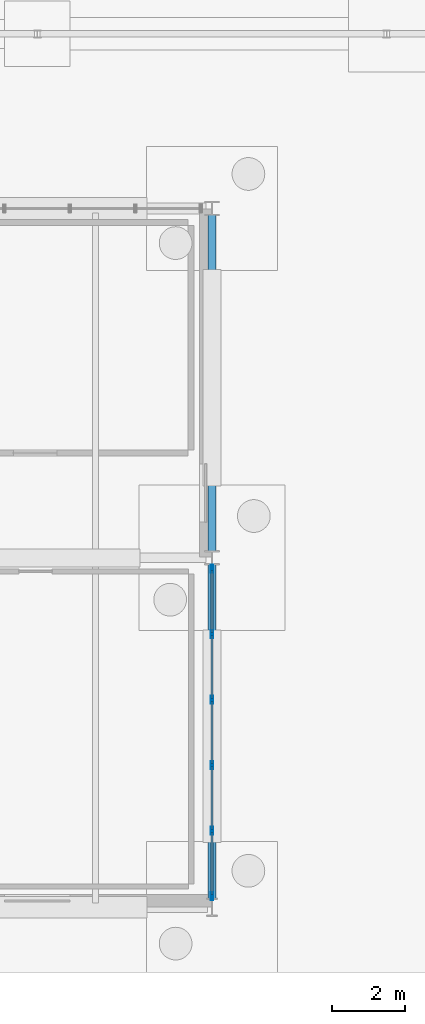
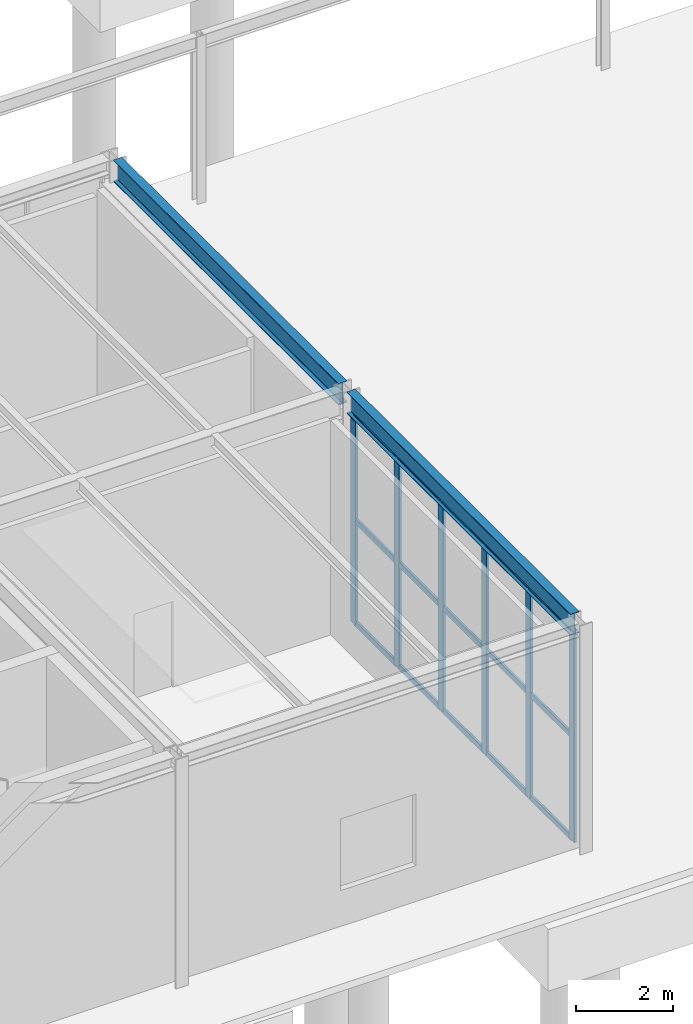
# One storey, part 63 of 142: 21 members, 2 beams, 1 element without a shape of its own.
"""IFC4 building model written with IfcOpenShell, lengths in metres."""

from ifc_helpers import new_model, si_unit, direction, frame, origin, origin_2d, place, context, subcontext, project, spatial, hollow_rectangle, i_section, extrude, material, material_profile, profile_set, type_object, element, aggregate, save


model = new_model("IFC4")

# Units and contexts
model_context = context("Model", 3, precision=1e-05, world=origin(), true_north=direction((0.0, 1.0)))
body_context = subcontext(model_context, "Body", "Model", "MODEL_VIEW")
ifc_project = project(units=[si_unit("LENGTHUNIT", "METRE"), si_unit("AREAUNIT", "SQUARE_METRE"), si_unit("VOLUMEUNIT", "CUBIC_METRE"), si_unit("PLANEANGLEUNIT", "RADIAN"), si_unit("MASSUNIT", "GRAM", prefix="KILO")], contexts=[model_context])

# Site, building, storey
site_placement = place(None, origin())
site = spatial("IfcSite", under=ifc_project, at=site_placement, CompositionType="ELEMENT")
building_placement = place(site_placement, origin())
building = spatial("IfcBuilding", under=site, at=building_placement, Name="Coralgate Yard Interchange", CompositionType="ELEMENT")
storey_placement = place(building_placement, origin())
storey = spatial("IfcBuildingStorey", under=building, at=storey_placement, Name="L00", CompositionType="ELEMENT", Elevation=0.0)

# Beams
ifc_material_1 = material(Name="Structural steel S355J2", Category="steel")
ifc_material_profile_1 = material_profile(ifc_material_1, i_section(OverallWidth=0.209228515625, OverallDepth=0.533203125, WebThickness=0.010009765625, FlangeThickness=0.015625, FilletRadius=0.0126953125, at=origin_2d()), Name="UB 533x210x92")
ifc_profile_set_1 = profile_set([ifc_material_profile_1], Name="Structural steel S355J2")
beam_type = type_object("IfcBeamType", Name="BM-SB-1", PredefinedType="BEAM", material=ifc_profile_set_1)
beam_1_placement = place(storey_placement, frame((96.0, 0.219970703125, 5.4833984375), z_axis=(0.0, 1.0, 0.0), x_axis=(-1.0, 0.0, 0.0)))
element("IfcBeam", 1, at=beam_1_placement, inside=storey, type_object=beam_type, Name="L00 primary grid girder X10 Y0-1", PredefinedType="BEAM", context=body_context, shape_type="SweptSolid", body=[
    extrude(i_section(OverallWidth=0.209228515625, OverallDepth=0.533203125, WebThickness=0.010009765625, FlangeThickness=0.015625, FilletRadius=0.0126953125, at=origin_2d()), origin(), (0.0, 0.0, 1.0), 9.213134765625),
])
beam_2_placement = place(storey_placement, frame((96.0, 9.766845703125, 5.4833984375), z_axis=(0.0, 1.0, 0.0), x_axis=(-1.0, 0.0, 0.0)))
element("IfcBeam", 2, at=beam_2_placement, inside=storey, type_object=beam_type, Name="L00 primary grid girder X10 Y1-2", PredefinedType="BEAM", context=body_context, shape_type="SweptSolid", body=[
    extrude(i_section(OverallWidth=0.209228515625, OverallDepth=0.533203125, WebThickness=0.010009765625, FlangeThickness=0.015625, FilletRadius=0.0126953125, at=origin_2d()), origin(), (0.0, 0.0, 1.0), 9.266357421875),
])

# Curtain wall, members
ifc_material_2 = material(Name="Anodised coastal aluminium and solar-control low-E glass", Category="aluminium")
curtain_wall_type = type_object("IfcCurtainWallType", Name="CW-CW-L00-B", PredefinedType="NOTDEFINED", material=ifc_material_2)
curtain_wall_placement = place(storey_placement, origin())
curtain_wall = element("IfcCurtainWall", 3, at=curtain_wall_placement, inside=storey, type_object=curtain_wall_type, Name="L00 unitised curtain wall CW-L00-E-09-00", PredefinedType="NOTDEFINED")
ifc_material_3 = material(Name="Anodised coastal aluminium 6063-T6", Category="aluminium")
ifc_material_profile_2 = material_profile(ifc_material_3, hollow_rectangle(XDim=0.06005859375, YDim=0.219970703125, WallThickness=0.00390625, InnerFilletRadius=0.00390625, OuterFilletRadius=0.008056640625, at=origin_2d()), Name="ALU 60x220x4")
ifc_profile_set_2 = profile_set([ifc_material_profile_2], Name="Anodised coastal aluminium 6063-T6")
member_type_1 = type_object("IfcMemberType", Name="MB-MUL-220", PredefinedType="MULLION", material=ifc_profile_set_2)
member_1_placement = place(storey_placement, frame((96.0, 9.300048828125, 0.0), z_axis=(0.0, 0.0, 1.0), x_axis=(1.0, 0.0, 0.0)))
member_1 = element("IfcMember", 4, at=member_1_placement, type_object=member_type_1, Name="CW-L00-E-09-00 vertical mullion 1", PredefinedType="MULLION", context=body_context, shape_type="SweptSolid", body=[
    extrude(hollow_rectangle(XDim=0.06005859375, YDim=0.219970703125, WallThickness=0.00390625, InnerFilletRadius=0.00390625, OuterFilletRadius=0.008056640625, at=origin_2d()), origin(), (0.0, 0.0, 1.0), 5.216796875),
])
member_2_placement = place(storey_placement, frame((96.0, 7.5, 0.0), z_axis=(0.0, 0.0, 1.0), x_axis=(1.0, 0.0, 0.0)))
member_2 = element("IfcMember", 5, at=member_2_placement, type_object=member_type_1, Name="CW-L00-E-09-00 vertical mullion 2", PredefinedType="MULLION", context=body_context, shape_type="SweptSolid", body=[
    extrude(hollow_rectangle(XDim=0.06005859375, YDim=0.219970703125, WallThickness=0.00390625, InnerFilletRadius=0.00390625, OuterFilletRadius=0.008056640625, at=origin_2d()), origin(), (0.0, 0.0, 1.0), 5.216796875),
])
member_3_placement = place(storey_placement, frame((96.0, 5.699951171875, 0.0), z_axis=(0.0, 0.0, 1.0), x_axis=(1.0, 0.0, 0.0)))
member_3 = element("IfcMember", 6, at=member_3_placement, type_object=member_type_1, Name="CW-L00-E-09-00 vertical mullion 3", PredefinedType="MULLION", context=body_context, shape_type="SweptSolid", body=[
    extrude(hollow_rectangle(XDim=0.06005859375, YDim=0.219970703125, WallThickness=0.00390625, InnerFilletRadius=0.00390625, OuterFilletRadius=0.008056640625, at=origin_2d()), origin(), (0.0, 0.0, 1.0), 5.216796875),
])
member_4_placement = place(storey_placement, frame((96.0, 3.89990234375, 0.0), z_axis=(0.0, 0.0, 1.0), x_axis=(1.0, 0.0, 0.0)))
member_4 = element("IfcMember", 7, at=member_4_placement, type_object=member_type_1, Name="CW-L00-E-09-00 vertical mullion 4", PredefinedType="MULLION", context=body_context, shape_type="SweptSolid", body=[
    extrude(hollow_rectangle(XDim=0.06005859375, YDim=0.219970703125, WallThickness=0.00390625, InnerFilletRadius=0.00390625, OuterFilletRadius=0.008056640625, at=origin_2d()), origin(), (0.0, 0.0, 1.0), 5.216796875),
])
member_5_placement = place(storey_placement, frame((96.0, 2.10009765625, 0.0), z_axis=(0.0, 0.0, 1.0), x_axis=(1.0, 0.0, 0.0)))
member_5 = element("IfcMember", 8, at=member_5_placement, type_object=member_type_1, Name="CW-L00-E-09-00 vertical mullion 5", PredefinedType="MULLION", context=body_context, shape_type="SweptSolid", body=[
    extrude(hollow_rectangle(XDim=0.06005859375, YDim=0.219970703125, WallThickness=0.00390625, InnerFilletRadius=0.00390625, OuterFilletRadius=0.008056640625, at=origin_2d()), origin(), (0.0, 0.0, 1.0), 5.216796875),
])
member_6_placement = place(storey_placement, frame((96.0, 0.300048828125, 0.0), z_axis=(0.0, 0.0, 1.0), x_axis=(1.0, 0.0, 0.0)))
member_6 = element("IfcMember", 9, at=member_6_placement, type_object=member_type_1, Name="CW-L00-E-09-00 vertical mullion 6", PredefinedType="MULLION", context=body_context, shape_type="SweptSolid", body=[
    extrude(hollow_rectangle(XDim=0.06005859375, YDim=0.219970703125, WallThickness=0.00390625, InnerFilletRadius=0.00390625, OuterFilletRadius=0.008056640625, at=origin_2d()), origin(), (0.0, 0.0, 1.0), 5.216796875),
])
ifc_material_profile_3 = material_profile(ifc_material_3, hollow_rectangle(XDim=0.06005859375, YDim=0.139892578125, WallThickness=0.00341796875, InnerFilletRadius=0.00341796875, OuterFilletRadius=0.007080078125, at=origin_2d()), Name="ALU 60x140x3.5")
ifc_profile_set_3 = profile_set([ifc_material_profile_3], Name="Anodised coastal aluminium 6063-T6")
member_type_2 = type_object("IfcMemberType", Name="MB-TRN-140", PredefinedType="USERDEFINED", material=ifc_profile_set_3)
member_7_placement = place(storey_placement, frame((96.0, 9.27001953125, 0.034912109375), z_axis=(0.0, -1.0, 0.0), x_axis=(1.0, 0.0, 0.0)))
member_7 = element("IfcMember", 10, at=member_7_placement, type_object=member_type_2, Name="CW-L00-E-09-00 horizontal transom 1-1", ObjectType="TRANSOM", PredefinedType="USERDEFINED", context=body_context, shape_type="SweptSolid", body=[
    extrude(hollow_rectangle(XDim=0.06005859375, YDim=0.139892578125, WallThickness=0.00341796875, InnerFilletRadius=0.00341796875, OuterFilletRadius=0.007080078125, at=origin_2d()), origin(), (0.0, 0.0, 1.0), 1.739990234375),
])
member_8_placement = place(storey_placement, frame((96.0, 9.27001953125, 2.6083984375), z_axis=(0.0, -1.0, 0.0), x_axis=(1.0, 0.0, 0.0)))
member_8 = element("IfcMember", 11, at=member_8_placement, type_object=member_type_2, Name="CW-L00-E-09-00 horizontal transom 1-2", ObjectType="TRANSOM", PredefinedType="USERDEFINED", context=body_context, shape_type="SweptSolid", body=[
    extrude(hollow_rectangle(XDim=0.06005859375, YDim=0.139892578125, WallThickness=0.00341796875, InnerFilletRadius=0.00341796875, OuterFilletRadius=0.007080078125, at=origin_2d()), origin(), (0.0, 0.0, 1.0), 1.739990234375),
])
member_9_placement = place(storey_placement, frame((96.0, 9.27001953125, 5.181884765625), z_axis=(0.0, -1.0, 0.0), x_axis=(1.0, 0.0, 0.0)))
member_9 = element("IfcMember", 12, at=member_9_placement, type_object=member_type_2, Name="CW-L00-E-09-00 horizontal transom 1-3", ObjectType="TRANSOM", PredefinedType="USERDEFINED", context=body_context, shape_type="SweptSolid", body=[
    extrude(hollow_rectangle(XDim=0.06005859375, YDim=0.139892578125, WallThickness=0.00341796875, InnerFilletRadius=0.00341796875, OuterFilletRadius=0.007080078125, at=origin_2d()), origin(), (0.0, 0.0, 1.0), 1.739990234375),
])
member_10_placement = place(storey_placement, frame((96.0, 7.469970703125, 0.034912109375), z_axis=(0.0, -1.0, 0.0), x_axis=(1.0, 0.0, 0.0)))
member_10 = element("IfcMember", 13, at=member_10_placement, type_object=member_type_2, Name="CW-L00-E-09-00 horizontal transom 2-1", ObjectType="TRANSOM", PredefinedType="USERDEFINED", context=body_context, shape_type="SweptSolid", body=[
    extrude(hollow_rectangle(XDim=0.06005859375, YDim=0.139892578125, WallThickness=0.00341796875, InnerFilletRadius=0.00341796875, OuterFilletRadius=0.007080078125, at=origin_2d()), origin(), (0.0, 0.0, 1.0), 1.739990234375),
])
member_11_placement = place(storey_placement, frame((96.0, 7.469970703125, 2.6083984375), z_axis=(0.0, -1.0, 0.0), x_axis=(1.0, 0.0, 0.0)))
member_11 = element("IfcMember", 14, at=member_11_placement, type_object=member_type_2, Name="CW-L00-E-09-00 horizontal transom 2-2", ObjectType="TRANSOM", PredefinedType="USERDEFINED", context=body_context, shape_type="SweptSolid", body=[
    extrude(hollow_rectangle(XDim=0.06005859375, YDim=0.139892578125, WallThickness=0.00341796875, InnerFilletRadius=0.00341796875, OuterFilletRadius=0.007080078125, at=origin_2d()), origin(), (0.0, 0.0, 1.0), 1.739990234375),
])
member_12_placement = place(storey_placement, frame((96.0, 7.469970703125, 5.181884765625), z_axis=(0.0, -1.0, 0.0), x_axis=(1.0, 0.0, 0.0)))
member_12 = element("IfcMember", 15, at=member_12_placement, type_object=member_type_2, Name="CW-L00-E-09-00 horizontal transom 2-3", ObjectType="TRANSOM", PredefinedType="USERDEFINED", context=body_context, shape_type="SweptSolid", body=[
    extrude(hollow_rectangle(XDim=0.06005859375, YDim=0.139892578125, WallThickness=0.00341796875, InnerFilletRadius=0.00341796875, OuterFilletRadius=0.007080078125, at=origin_2d()), origin(), (0.0, 0.0, 1.0), 1.739990234375),
])
member_13_placement = place(storey_placement, frame((96.0, 5.669921875, 0.034912109375), z_axis=(0.0, -1.0, 0.0), x_axis=(1.0, 0.0, 0.0)))
member_13 = element("IfcMember", 16, at=member_13_placement, type_object=member_type_2, Name="CW-L00-E-09-00 horizontal transom 3-1", ObjectType="TRANSOM", PredefinedType="USERDEFINED", context=body_context, shape_type="SweptSolid", body=[
    extrude(hollow_rectangle(XDim=0.06005859375, YDim=0.139892578125, WallThickness=0.00341796875, InnerFilletRadius=0.00341796875, OuterFilletRadius=0.007080078125, at=origin_2d()), origin(), (0.0, 0.0, 1.0), 1.739990234375),
])
member_14_placement = place(storey_placement, frame((96.0, 5.669921875, 2.6083984375), z_axis=(0.0, -1.0, 0.0), x_axis=(1.0, 0.0, 0.0)))
member_14 = element("IfcMember", 17, at=member_14_placement, type_object=member_type_2, Name="CW-L00-E-09-00 horizontal transom 3-2", ObjectType="TRANSOM", PredefinedType="USERDEFINED", context=body_context, shape_type="SweptSolid", body=[
    extrude(hollow_rectangle(XDim=0.06005859375, YDim=0.139892578125, WallThickness=0.00341796875, InnerFilletRadius=0.00341796875, OuterFilletRadius=0.007080078125, at=origin_2d()), origin(), (0.0, 0.0, 1.0), 1.739990234375),
])
member_15_placement = place(storey_placement, frame((96.0, 5.669921875, 5.181884765625), z_axis=(0.0, -1.0, 0.0), x_axis=(1.0, 0.0, 0.0)))
member_15 = element("IfcMember", 18, at=member_15_placement, type_object=member_type_2, Name="CW-L00-E-09-00 horizontal transom 3-3", ObjectType="TRANSOM", PredefinedType="USERDEFINED", context=body_context, shape_type="SweptSolid", body=[
    extrude(hollow_rectangle(XDim=0.06005859375, YDim=0.139892578125, WallThickness=0.00341796875, InnerFilletRadius=0.00341796875, OuterFilletRadius=0.007080078125, at=origin_2d()), origin(), (0.0, 0.0, 1.0), 1.739990234375),
])
member_16_placement = place(storey_placement, frame((96.0, 3.8701171875, 0.034912109375), z_axis=(0.0, -1.0, 0.0), x_axis=(1.0, 0.0, 0.0)))
member_16 = element("IfcMember", 19, at=member_16_placement, type_object=member_type_2, Name="CW-L00-E-09-00 horizontal transom 4-1", ObjectType="TRANSOM", PredefinedType="USERDEFINED", context=body_context, shape_type="SweptSolid", body=[
    extrude(hollow_rectangle(XDim=0.06005859375, YDim=0.139892578125, WallThickness=0.00341796875, InnerFilletRadius=0.00341796875, OuterFilletRadius=0.007080078125, at=origin_2d()), origin(), (0.0, 0.0, 1.0), 1.740234375),
])
member_17_placement = place(storey_placement, frame((96.0, 3.8701171875, 2.6083984375), z_axis=(0.0, -1.0, 0.0), x_axis=(1.0, 0.0, 0.0)))
member_17 = element("IfcMember", 20, at=member_17_placement, type_object=member_type_2, Name="CW-L00-E-09-00 horizontal transom 4-2", ObjectType="TRANSOM", PredefinedType="USERDEFINED", context=body_context, shape_type="SweptSolid", body=[
    extrude(hollow_rectangle(XDim=0.06005859375, YDim=0.139892578125, WallThickness=0.00341796875, InnerFilletRadius=0.00341796875, OuterFilletRadius=0.007080078125, at=origin_2d()), origin(), (0.0, 0.0, 1.0), 1.740234375),
])
member_18_placement = place(storey_placement, frame((96.0, 3.8701171875, 5.181884765625), z_axis=(0.0, -1.0, 0.0), x_axis=(1.0, 0.0, 0.0)))
member_18 = element("IfcMember", 21, at=member_18_placement, type_object=member_type_2, Name="CW-L00-E-09-00 horizontal transom 4-3", ObjectType="TRANSOM", PredefinedType="USERDEFINED", context=body_context, shape_type="SweptSolid", body=[
    extrude(hollow_rectangle(XDim=0.06005859375, YDim=0.139892578125, WallThickness=0.00341796875, InnerFilletRadius=0.00341796875, OuterFilletRadius=0.007080078125, at=origin_2d()), origin(), (0.0, 0.0, 1.0), 1.740234375),
])
member_19_placement = place(storey_placement, frame((96.0, 2.070068359375, 0.034912109375), z_axis=(0.0, -1.0, 0.0), x_axis=(1.0, 0.0, 0.0)))
member_19 = element("IfcMember", 22, at=member_19_placement, type_object=member_type_2, Name="CW-L00-E-09-00 horizontal transom 5-1", ObjectType="TRANSOM", PredefinedType="USERDEFINED", context=body_context, shape_type="SweptSolid", body=[
    extrude(hollow_rectangle(XDim=0.06005859375, YDim=0.139892578125, WallThickness=0.00341796875, InnerFilletRadius=0.00341796875, OuterFilletRadius=0.007080078125, at=origin_2d()), origin(), (0.0, 0.0, 1.0), 1.739990234375),
])
member_20_placement = place(storey_placement, frame((96.0, 2.070068359375, 2.6083984375), z_axis=(0.0, -1.0, 0.0), x_axis=(1.0, 0.0, 0.0)))
member_20 = element("IfcMember", 23, at=member_20_placement, type_object=member_type_2, Name="CW-L00-E-09-00 horizontal transom 5-2", ObjectType="TRANSOM", PredefinedType="USERDEFINED", context=body_context, shape_type="SweptSolid", body=[
    extrude(hollow_rectangle(XDim=0.06005859375, YDim=0.139892578125, WallThickness=0.00341796875, InnerFilletRadius=0.00341796875, OuterFilletRadius=0.007080078125, at=origin_2d()), origin(), (0.0, 0.0, 1.0), 1.739990234375),
])
member_21_placement = place(storey_placement, frame((96.0, 2.070068359375, 5.181884765625), z_axis=(0.0, -1.0, 0.0), x_axis=(1.0, 0.0, 0.0)))
member_21 = element("IfcMember", 24, at=member_21_placement, type_object=member_type_2, Name="CW-L00-E-09-00 horizontal transom 5-3", ObjectType="TRANSOM", PredefinedType="USERDEFINED", context=body_context, shape_type="SweptSolid", body=[
    extrude(hollow_rectangle(XDim=0.06005859375, YDim=0.139892578125, WallThickness=0.00341796875, InnerFilletRadius=0.00341796875, OuterFilletRadius=0.007080078125, at=origin_2d()), origin(), (0.0, 0.0, 1.0), 1.739990234375),
])
aggregate(curtain_wall, [member_1, member_2, member_3, member_4, member_5, member_6, member_7, member_8, member_9, member_10, member_11, member_12, member_13, member_14, member_15, member_16, member_17, member_18, member_19, member_20, member_21])

save(model, "model.ifc")
